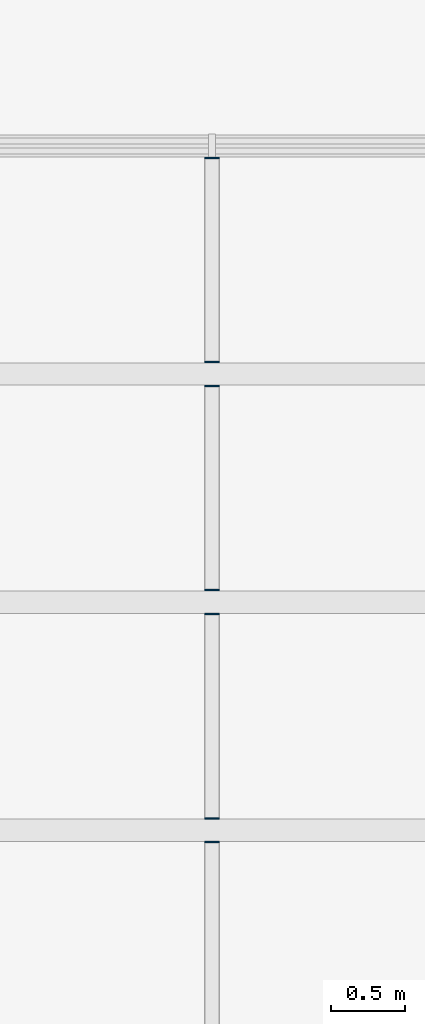
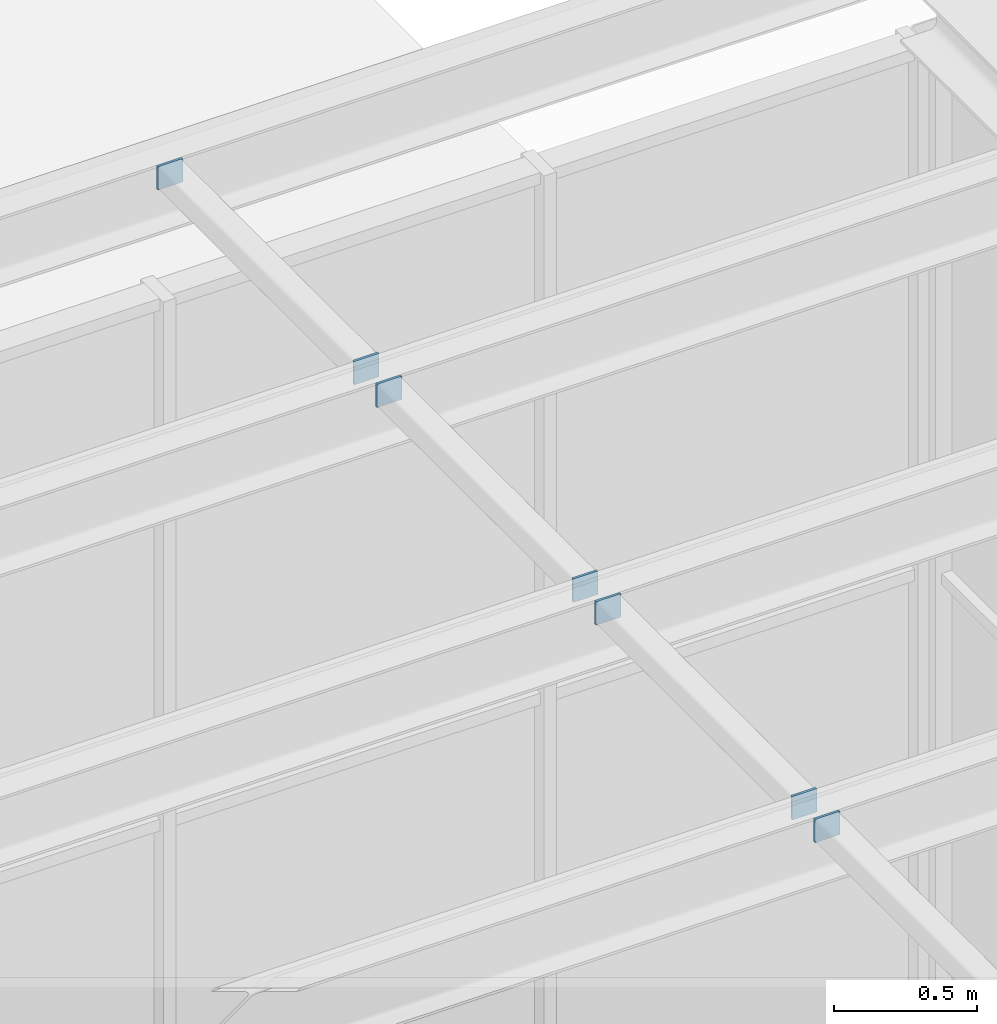
# One storey, part 21 of 25: 7 discrete accessories.
"""IFC4 building model written with IfcOpenShell, lengths in metres."""

from ifc_helpers import new_model, si_unit, direction, frame, origin, origin_2d, place, context, subcontext, project, spatial, rectangle, extrude, material, layer, layer_set, type_object, element, save


model = new_model("IFC4")

# Units and contexts
model_context = context("Model", 3, precision=1e-05, world=origin(), true_north=direction((0.0, 1.0)))
body_context = subcontext(model_context, "Body", "Model", "MODEL_VIEW")
ifc_project = project(units=[si_unit("LENGTHUNIT", "METRE"), si_unit("AREAUNIT", "SQUARE_METRE"), si_unit("VOLUMEUNIT", "CUBIC_METRE"), si_unit("PLANEANGLEUNIT", "RADIAN"), si_unit("MASSUNIT", "GRAM", prefix="KILO")], contexts=[model_context])

# Site, building, storey
site_placement = place(None, origin())
site = spatial("IfcSite", under=ifc_project, at=site_placement, CompositionType="ELEMENT")
building_placement = place(site_placement, origin())
building = spatial("IfcBuilding", under=site, at=building_placement, Name="Aurelan Courthouse", CompositionType="ELEMENT")
storey_placement = place(building_placement, frame((0.0, 0.0, 44.39990234375)))
storey = spatial("IfcBuildingStorey", under=building, at=storey_placement, Name="L08", CompositionType="ELEMENT", Elevation=44.39990234375)

# Discrete accessories
ifc_material = material(Name="Steel S355", Category="steel")
ifc_layer = layer(ifc_material, 0.010009765625)
ifc_layer_set = layer_set([ifc_layer], Name="Steel S355")
discrete_accessory_type = type_object("IfcDiscreteAccessoryType", Name="Purlin end plate 100 x 100 x 10", PredefinedType="ANCHORPLATE", material=ifc_layer_set)
for number, where, z_axis, x_axis, name in (
    (1, (45.0, 47.969970703125, 4.989990234375), (0.0, 0.0, 1.0), (1.0, 0.0, 0.0), "Purlin end plate LPE-V21-0601-2"),
    (2, (45.0, 48.1298828125, 4.989990234375), (0.0, 0.0, 1.0), (1.0, 0.0, 0.0), "Purlin end plate LPE-V21-0701-1"),
    (3, (45.0, 49.50341796875, 4.989990234375), (0.0, 0.0, 1.0), (1.0, 0.0, 0.0), "Purlin end plate LPE-V21-0701-2"),
    (4, (45.0, 49.663330078125, 4.989990234375), (0.0, 0.0, 1.0), (1.0, 0.0, 0.0), "Purlin end plate LPE-V21-0801-1"),
    (5, (45.0, 51.03662109375, 4.989990234375), (0.0, 0.0, 1.0), (1.0, 0.0, 0.0), "Purlin end plate LPE-V21-0801-2"),
    (6, (45.0, 51.19677734375, 4.989990234375), (0.0, 0.0, 1.0), (1.0, 0.0, 0.0), "Purlin end plate LPE-V21-0901-1"),
    (7, (45.0, 52.570068359375, 4.989990234375), (0.0, 0.0, 1.0), (1.0, 0.0, 0.0), "Purlin end plate LPE-V21-0901-2"),
):
    element("IfcDiscreteAccessory", number, at=place(storey_placement, frame(where, z_axis=z_axis, x_axis=x_axis)), inside=storey, type_object=discrete_accessory_type, Name=name, PredefinedType="ANCHORPLATE", context=body_context, shape_type="SweptSolid", body=[
        extrude(rectangle(XDim=0.10009765625, YDim=0.010009765625, at=origin_2d()), origin(), (0.0, 0.0, 1.0), 0.10009765625),
    ])

save(model, "model.ifc")
